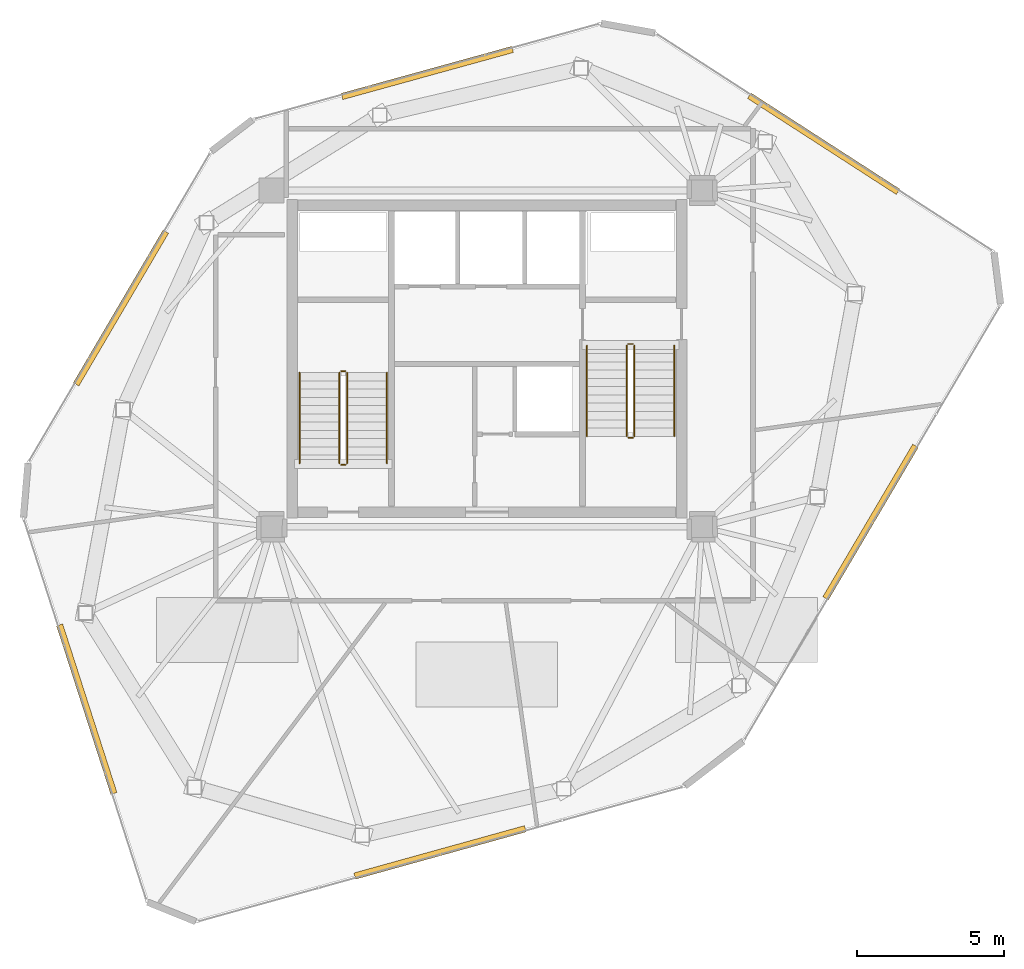
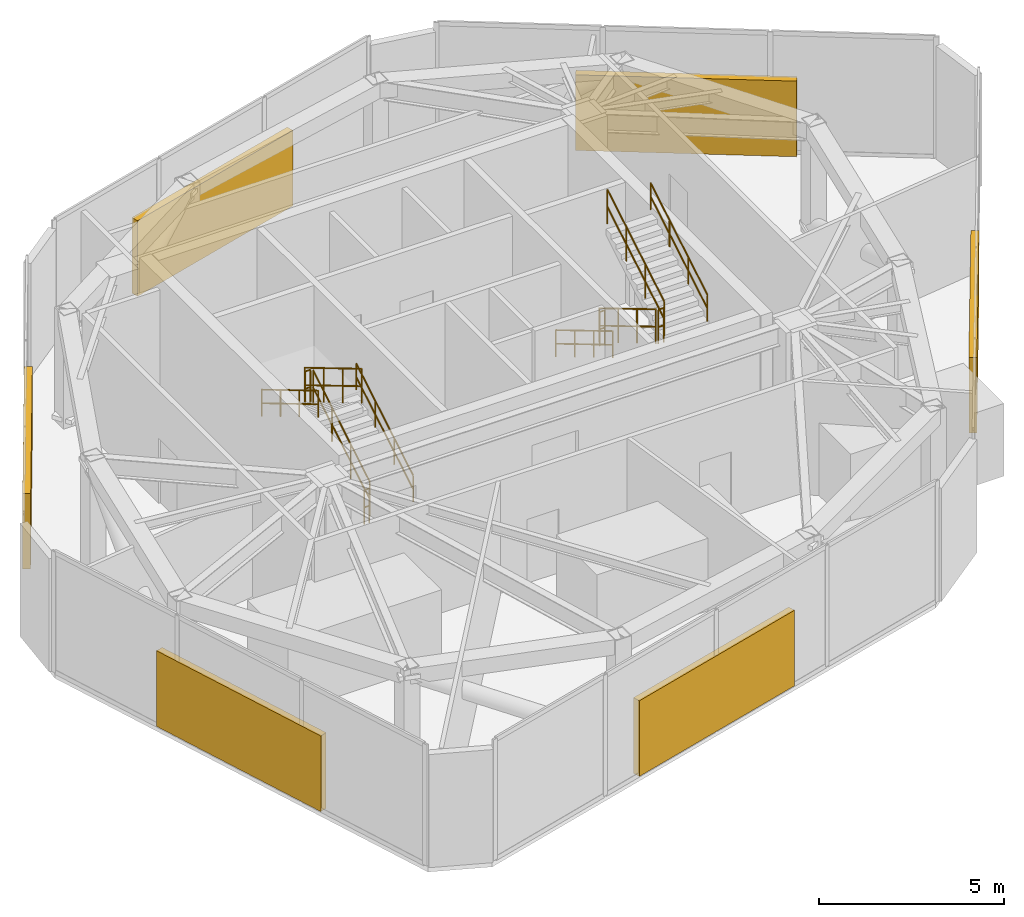
# One storey, part 18 of 19: 12 railings, 6 shading devices.
"""IFC4 building model written with IfcOpenShell, lengths in metres."""

from ifc_helpers import new_model, si_unit, direction, frame, origin, origin_2d, place, context, subcontext, project, spatial, rectangle, circle, extrude, source, transform, mapped, material, type_object, type_shapes, element, save


model = new_model("IFC4")

# Units and contexts
model_context = context("Model", 3, precision=1e-05, world=origin(), true_north=direction((0.0, 1.0)))
body_context = subcontext(model_context, "Body", "Model", "MODEL_VIEW")
ifc_project = project(units=[si_unit("LENGTHUNIT", "METRE"), si_unit("AREAUNIT", "SQUARE_METRE"), si_unit("VOLUMEUNIT", "CUBIC_METRE"), si_unit("PLANEANGLEUNIT", "RADIAN"), si_unit("MASSUNIT", "GRAM", prefix="KILO")], contexts=[model_context])

# Site, building, storey
site_placement = place(None, origin())
site = spatial("IfcSite", under=ifc_project, at=site_placement, CompositionType="ELEMENT")
building_placement = place(site_placement, origin())
building = spatial("IfcBuilding", under=site, at=building_placement, Name="Talar Marvaseh", CompositionType="ELEMENT")
storey_placement = place(building_placement, frame((0.0, 0.0, 296.0)))
storey = spatial("IfcBuildingStorey", under=building, at=storey_placement, Name="L79", CompositionType="ELEMENT", Elevation=296.0)

# Railings
ifc_material_1 = material(Name="Stainless Steel Grade 316", Category="steel")
railing_type_1 = type_object("IfcRailingType", Name="Brushed Stainless Wall Pitch Handrail 900", PredefinedType="HANDRAIL", material=ifc_material_1)
railing_1_placement = place(storey_placement, frame((22.610107421875, 27.64990234375, 0.166748046875)))
element("IfcRailing", 1, at=railing_1_placement, inside=storey, type_object=railing_type_1, Name="L79 ST-1 stair handrail 1", PredefinedType="HANDRAIL", context=body_context, shape_type="SweptSolid", body=[
    extrude(circle(Radius=0.02392578125, at=origin_2d()), frame((0.0, 0.0, 0.8759765625), z_axis=(0.0, 0.859308565015, 0.511457515432), x_axis=(-1.0, 0.0, 0.0)), (0.0, 0.0, 1.0), 3.58447265625),
    extrude(circle(Radius=0.02392578125, at=origin_2d()), frame((0.0, 0.0, 0.42578125), z_axis=(0.0, 0.859308565015, 0.511457515432), x_axis=(-1.0, 0.0, 0.0)), (0.0, 0.0, 1.0), 3.58447265625),
    extrude(circle(Radius=0.02099609375, at=origin_2d()), origin(), (0.0, 0.0, 1.0), 0.851806640625),
    extrude(circle(Radius=0.02099609375, at=origin_2d()), frame((0.0, 1.026611328125, 0.611083984375)), (0.0, 0.0, 1.0), 0.851806640625),
    extrude(circle(Radius=0.02099609375, at=origin_2d()), frame((0.0, 2.053466796875, 1.22216796875)), (0.0, 0.0, 1.0), 0.851806640625),
    extrude(circle(Radius=0.02099609375, at=origin_2d()), frame((0.0, 3.080078125, 1.833251953125)), (0.0, 0.0, 1.0), 0.851806640625),
])
railing_2_placement = place(storey_placement, frame((19.64990234375, 30.72998046875, 2.166748046875)))
element("IfcRailing", 2, at=railing_2_placement, inside=storey, type_object=railing_type_1, Name="L79 ST-1 stair handrail 2", PredefinedType="HANDRAIL", context=body_context, shape_type="SweptSolid", body=[
    extrude(circle(Radius=0.02392578125, at=origin_2d()), frame((0.0, 0.0, 0.8759765625), z_axis=(0.0, -0.859308565015, 0.511457515432), x_axis=(1.0, 0.0, 0.0)), (0.0, 0.0, 1.0), 3.58447265625),
    extrude(circle(Radius=0.02392578125, at=origin_2d()), frame((0.0, 0.0, 0.42578125), z_axis=(0.0, -0.859308565015, 0.511457515432), x_axis=(1.0, 0.0, 0.0)), (0.0, 0.0, 1.0), 3.58447265625),
    extrude(circle(Radius=0.02099609375, at=origin_2d()), origin(), (0.0, 0.0, 1.0), 0.851806640625),
    extrude(circle(Radius=0.02099609375, at=origin_2d()), frame((0.0, -1.026611328125, 0.611083984375)), (0.0, 0.0, 1.0), 0.851806640625),
    extrude(circle(Radius=0.02099609375, at=origin_2d()), frame((0.0, -2.053466796875, 1.22216796875)), (0.0, 0.0, 1.0), 0.851806640625),
    extrude(circle(Radius=0.02099609375, at=origin_2d()), frame((0.0, -3.080078125, 1.833251953125)), (0.0, 0.0, 1.0), 0.851806640625),
])
railing_3_placement = place(storey_placement, frame((29.389892578125, 31.64990234375, 0.166748046875)))
element("IfcRailing", 3, at=railing_3_placement, inside=storey, type_object=railing_type_1, Name="L79 ST-2 stair handrail 1", PredefinedType="HANDRAIL", context=body_context, shape_type="SweptSolid", body=[
    extrude(circle(Radius=0.02392578125, at=origin_2d()), frame((0.0, 0.0, 0.8759765625), z_axis=(0.0, -0.859290745958, 0.51148745235), x_axis=(1.0, 0.0, 0.0)), (0.0, 0.0, 1.0), 3.584228515625),
    extrude(circle(Radius=0.02392578125, at=origin_2d()), frame((0.0, 0.0, 0.42578125), z_axis=(0.0, -0.859290745958, 0.51148745235), x_axis=(1.0, 0.0, 0.0)), (0.0, 0.0, 1.0), 3.584228515625),
    extrude(circle(Radius=0.02099609375, at=origin_2d()), origin(), (0.0, 0.0, 1.0), 0.851806640625),
    extrude(circle(Radius=0.02099609375, at=origin_2d()), frame((0.0, -1.026611328125, 0.611083984375)), (0.0, 0.0, 1.0), 0.851806640625),
    extrude(circle(Radius=0.02099609375, at=origin_2d()), frame((0.0, -2.05322265625, 1.22216796875)), (0.0, 0.0, 1.0), 0.851806640625),
    extrude(circle(Radius=0.02099609375, at=origin_2d()), frame((0.0, -3.079833984375, 1.833251953125)), (0.0, 0.0, 1.0), 0.851806640625),
])
railing_4_placement = place(storey_placement, frame((32.35009765625, 28.570068359375, 2.166748046875)))
element("IfcRailing", 4, at=railing_4_placement, inside=storey, type_object=railing_type_1, Name="L79 ST-2 stair handrail 2", PredefinedType="HANDRAIL", context=body_context, shape_type="SweptSolid", body=[
    extrude(circle(Radius=0.02392578125, at=origin_2d()), frame((0.0, 0.0, 0.8759765625), z_axis=(0.0, 0.859290745958, 0.51148745235), x_axis=(-1.0, 0.0, 0.0)), (0.0, 0.0, 1.0), 3.584228515625),
    extrude(circle(Radius=0.02392578125, at=origin_2d()), frame((0.0, 0.0, 0.42578125), z_axis=(0.0, 0.859290745958, 0.51148745235), x_axis=(-1.0, 0.0, 0.0)), (0.0, 0.0, 1.0), 3.584228515625),
    extrude(circle(Radius=0.02099609375, at=origin_2d()), origin(), (0.0, 0.0, 1.0), 0.851806640625),
    extrude(circle(Radius=0.02099609375, at=origin_2d()), frame((0.0, 1.026611328125, 0.611083984375)), (0.0, 0.0, 1.0), 0.851806640625),
    extrude(circle(Radius=0.02099609375, at=origin_2d()), frame((0.0, 2.05322265625, 1.22216796875)), (0.0, 0.0, 1.0), 0.851806640625),
    extrude(circle(Radius=0.02099609375, at=origin_2d()), frame((0.0, 3.079833984375, 1.833251953125)), (0.0, 0.0, 1.0), 0.851806640625),
])
railing_type_2 = type_object("IfcRailingType", Name="Painted Steel Core Stair Well Guardrail 1150", PredefinedType="GUARDRAIL", material=ifc_material_1)
railing_5_placement = place(storey_placement, frame((21.260009765625, 27.64990234375, 0.166748046875)))
element("IfcRailing", 5, at=railing_5_placement, inside=storey, type_object=railing_type_2, Name="L79 ST-1 stair guard 1", PredefinedType="GUARDRAIL", context=body_context, shape_type="SweptSolid", body=[
    extrude(circle(Radius=0.02392578125, at=origin_2d()), frame((0.0, 0.0, 1.1259765625), z_axis=(0.0, 0.859308565015, 0.511457515432), x_axis=(-1.0, 0.0, 0.0)), (0.0, 0.0, 1.0), 3.58447265625),
    extrude(circle(Radius=0.02392578125, at=origin_2d()), frame((0.0, 0.0, 0.55078125), z_axis=(0.0, 0.859308565015, 0.511457515432), x_axis=(-1.0, 0.0, 0.0)), (0.0, 0.0, 1.0), 3.58447265625),
    extrude(circle(Radius=0.02099609375, at=origin_2d()), origin(), (0.0, 0.0, 1.0), 1.101806640625),
    extrude(circle(Radius=0.02099609375, at=origin_2d()), frame((0.0, 1.026611328125, 0.611083984375)), (0.0, 0.0, 1.0), 1.101806640625),
    extrude(circle(Radius=0.02099609375, at=origin_2d()), frame((0.0, 2.053466796875, 1.22216796875)), (0.0, 0.0, 1.0), 1.101806640625),
    extrude(circle(Radius=0.02099609375, at=origin_2d()), frame((0.0, 3.080078125, 1.833251953125)), (0.0, 0.0, 1.0), 1.101806640625),
])
railing_6_placement = place(storey_placement, frame((21.2099609375, 30.780029296875, 2.0)))
element("IfcRailing", 6, at=railing_6_placement, inside=storey, type_object=railing_type_2, Name="L79 ST-1 stair guard 2", PredefinedType="GUARDRAIL", context=body_context, shape_type="SweptSolid", body=[
    extrude(circle(Radius=0.02392578125, at=origin_2d()), frame((0.0, 0.0, 1.1259765625), z_axis=(-1.0, 0.0, 0.0), x_axis=(0.0, -1.0, 0.0)), (0.0, 0.0, 1.0), 0.159912109375),
    extrude(circle(Radius=0.02392578125, at=origin_2d()), frame((0.0, 0.0, 0.55078125), z_axis=(-1.0, 0.0, 0.0), x_axis=(0.0, -1.0, 0.0)), (0.0, 0.0, 1.0), 0.159912109375),
    extrude(circle(Radius=0.02099609375, at=origin_2d()), origin(), (0.0, 0.0, 1.0), 1.101806640625),
    extrude(circle(Radius=0.02099609375, at=origin_2d()), frame((-0.159912109375, 0.0, 0.0)), (0.0, 0.0, 1.0), 1.101806640625),
])
railing_7_placement = place(storey_placement, frame((21.0, 30.72998046875, 2.166748046875)))
element("IfcRailing", 7, at=railing_7_placement, inside=storey, type_object=railing_type_2, Name="L79 ST-1 stair guard 3", PredefinedType="GUARDRAIL", context=body_context, shape_type="SweptSolid", body=[
    extrude(circle(Radius=0.02392578125, at=origin_2d()), frame((0.0, 0.0, 1.1259765625), z_axis=(0.0, -0.859308565015, 0.511457515432), x_axis=(1.0, 0.0, 0.0)), (0.0, 0.0, 1.0), 3.58447265625),
    extrude(circle(Radius=0.02392578125, at=origin_2d()), frame((0.0, 0.0, 0.55078125), z_axis=(0.0, -0.859308565015, 0.511457515432), x_axis=(1.0, 0.0, 0.0)), (0.0, 0.0, 1.0), 3.58447265625),
    extrude(circle(Radius=0.02099609375, at=origin_2d()), origin(), (0.0, 0.0, 1.0), 1.101806640625),
    extrude(circle(Radius=0.02099609375, at=origin_2d()), frame((0.0, -1.026611328125, 0.611083984375)), (0.0, 0.0, 1.0), 1.101806640625),
    extrude(circle(Radius=0.02099609375, at=origin_2d()), frame((0.0, -2.053466796875, 1.22216796875)), (0.0, 0.0, 1.0), 1.101806640625),
    extrude(circle(Radius=0.02099609375, at=origin_2d()), frame((0.0, -3.080078125, 1.833251953125)), (0.0, 0.0, 1.0), 1.101806640625),
])
railing_8_placement = place(storey_placement, frame((21.2099609375, 27.60009765625, 0.0)))
element("IfcRailing", 8, at=railing_8_placement, inside=storey, type_object=railing_type_2, Name="L79 ST-1 stair guard 4", PredefinedType="GUARDRAIL", context=body_context, shape_type="SweptSolid", body=[
    extrude(circle(Radius=0.02392578125, at=origin_2d()), frame((0.0, 0.0, 1.1259765625), z_axis=(-1.0, 0.0, 0.0), x_axis=(0.0, -1.0, 0.0)), (0.0, 0.0, 1.0), 0.159912109375),
    extrude(circle(Radius=0.02392578125, at=origin_2d()), frame((0.0, 0.0, 0.55078125), z_axis=(-1.0, 0.0, 0.0), x_axis=(0.0, -1.0, 0.0)), (0.0, 0.0, 1.0), 0.159912109375),
    extrude(circle(Radius=0.02099609375, at=origin_2d()), origin(), (0.0, 0.0, 1.0), 1.101806640625),
    extrude(circle(Radius=0.02099609375, at=origin_2d()), frame((-0.159912109375, 0.0, 0.0)), (0.0, 0.0, 1.0), 1.101806640625),
])
railing_9_placement = place(storey_placement, frame((30.739990234375, 31.64990234375, 0.166748046875)))
element("IfcRailing", 9, at=railing_9_placement, inside=storey, type_object=railing_type_2, Name="L79 ST-2 stair guard 1", PredefinedType="GUARDRAIL", context=body_context, shape_type="SweptSolid", body=[
    extrude(circle(Radius=0.02392578125, at=origin_2d()), frame((0.0, 0.0, 1.1259765625), z_axis=(0.0, -0.859290745958, 0.51148745235), x_axis=(1.0, 0.0, 0.0)), (0.0, 0.0, 1.0), 3.584228515625),
    extrude(circle(Radius=0.02392578125, at=origin_2d()), frame((0.0, 0.0, 0.55078125), z_axis=(0.0, -0.859290745958, 0.51148745235), x_axis=(1.0, 0.0, 0.0)), (0.0, 0.0, 1.0), 3.584228515625),
    extrude(circle(Radius=0.02099609375, at=origin_2d()), origin(), (0.0, 0.0, 1.0), 1.101806640625),
    extrude(circle(Radius=0.02099609375, at=origin_2d()), frame((0.0, -1.026611328125, 0.611083984375)), (0.0, 0.0, 1.0), 1.101806640625),
    extrude(circle(Radius=0.02099609375, at=origin_2d()), frame((0.0, -2.05322265625, 1.22216796875)), (0.0, 0.0, 1.0), 1.101806640625),
    extrude(circle(Radius=0.02099609375, at=origin_2d()), frame((0.0, -3.079833984375, 1.833251953125)), (0.0, 0.0, 1.0), 1.101806640625),
])
railing_10_placement = place(storey_placement, frame((30.7900390625, 28.52001953125, 2.0)))
element("IfcRailing", 10, at=railing_10_placement, inside=storey, type_object=railing_type_2, Name="L79 ST-2 stair guard 2", PredefinedType="GUARDRAIL", context=body_context, shape_type="SweptSolid", body=[
    extrude(circle(Radius=0.02392578125, at=origin_2d()), frame((0.0, 0.0, 1.1259765625), z_axis=(1.0, 0.0, 0.0), x_axis=(0.0, 1.0, 0.0)), (0.0, 0.0, 1.0), 0.159912109375),
    extrude(circle(Radius=0.02392578125, at=origin_2d()), frame((0.0, 0.0, 0.55078125), z_axis=(1.0, 0.0, 0.0), x_axis=(0.0, 1.0, 0.0)), (0.0, 0.0, 1.0), 0.159912109375),
    extrude(circle(Radius=0.02099609375, at=origin_2d()), origin(), (0.0, 0.0, 1.0), 1.101806640625),
    extrude(circle(Radius=0.02099609375, at=origin_2d()), frame((0.159912109375, 0.0, 0.0)), (0.0, 0.0, 1.0), 1.101806640625),
])
railing_11_placement = place(storey_placement, frame((31.0, 28.570068359375, 2.166748046875)))
element("IfcRailing", 11, at=railing_11_placement, inside=storey, type_object=railing_type_2, Name="L79 ST-2 stair guard 3", PredefinedType="GUARDRAIL", context=body_context, shape_type="SweptSolid", body=[
    extrude(circle(Radius=0.02392578125, at=origin_2d()), frame((0.0, 0.0, 1.1259765625), z_axis=(0.0, 0.859290745958, 0.51148745235), x_axis=(-1.0, 0.0, 0.0)), (0.0, 0.0, 1.0), 3.584228515625),
    extrude(circle(Radius=0.02392578125, at=origin_2d()), frame((0.0, 0.0, 0.55078125), z_axis=(0.0, 0.859290745958, 0.51148745235), x_axis=(-1.0, 0.0, 0.0)), (0.0, 0.0, 1.0), 3.584228515625),
    extrude(circle(Radius=0.02099609375, at=origin_2d()), origin(), (0.0, 0.0, 1.0), 1.101806640625),
    extrude(circle(Radius=0.02099609375, at=origin_2d()), frame((0.0, 1.026611328125, 0.611083984375)), (0.0, 0.0, 1.0), 1.101806640625),
    extrude(circle(Radius=0.02099609375, at=origin_2d()), frame((0.0, 2.05322265625, 1.22216796875)), (0.0, 0.0, 1.0), 1.101806640625),
    extrude(circle(Radius=0.02099609375, at=origin_2d()), frame((0.0, 3.079833984375, 1.833251953125)), (0.0, 0.0, 1.0), 1.101806640625),
])
railing_12_placement = place(storey_placement, frame((30.7900390625, 31.699951171875, 0.0)))
element("IfcRailing", 12, at=railing_12_placement, inside=storey, type_object=railing_type_2, Name="L79 ST-2 stair guard 4", PredefinedType="GUARDRAIL", context=body_context, shape_type="SweptSolid", body=[
    extrude(circle(Radius=0.02392578125, at=origin_2d()), frame((0.0, 0.0, 1.1259765625), z_axis=(1.0, 0.0, 0.0), x_axis=(0.0, 1.0, 0.0)), (0.0, 0.0, 1.0), 0.159912109375),
    extrude(circle(Radius=0.02392578125, at=origin_2d()), frame((0.0, 0.0, 0.55078125), z_axis=(1.0, 0.0, 0.0), x_axis=(0.0, 1.0, 0.0)), (0.0, 0.0, 1.0), 0.159912109375),
    extrude(circle(Radius=0.02099609375, at=origin_2d()), origin(), (0.0, 0.0, 1.0), 1.101806640625),
    extrude(circle(Radius=0.02099609375, at=origin_2d()), frame((0.159912109375, 0.0, 0.0)), (0.0, 0.0, 1.0), 1.101806640625),
])

# Shading devices
ifc_material_2 = material(Name="Anodised Champagne Bronze Aluminium", Category="aluminium")
shading_device_type = type_object("IfcShadingDeviceType", Name="Acoustic Weatherproof Plant Louvre Bank", PredefinedType="USERDEFINED", material=ifc_material_2)
shared_shape = source(origin(), body_context, "Body", "SweptSolid", [
    extrude(rectangle(XDim=6.0, YDim=0.219970703125, at=origin_2d()), origin(), (0.0, 0.0, 1.0), 2.5),
])
type_shapes(shading_device_type, [shared_shape])
for number, where, z_axis, x_axis, name in (
    (13, (12.4306640625, 19.318115234375, 0.0), (0.0, 0.0, 1.0), (-0.306526078098, 0.951862260753, 0.0), "L79 Acoustic Plant Louvre Screen"),
    (14, (13.590576171875, 32.919189453125, 0.0), (0.0, 0.0, 1.0), (0.506485305836, 0.862248592329, 0.0), "L79 Acoustic Plant Louvre Screen"),
    (15, (23.977294921875, 40.889404296875, 0.0), (0.0, 0.0, 1.0), (0.963956227226, 0.266060880235, 0.0), "L79 Acoustic Plant Louvre Screen"),
    (16, (37.415283203125, 38.4892578125, 0.0), (0.0, 0.0, 1.0), (0.840093553899, -0.542441536663, 0.0), "L79 Acoustic Plant Louvre Screen"),
    (17, (39.007080078125, 25.661376953125, 0.0), (0.0, 0.0, 1.0), (-0.507688737887, -0.861540565163, 0.0), "L79 Acoustic Plant Louvre Screen"),
    (18, (24.409423828125, 14.460205078125, 0.0), (0.0, 0.0, 1.0), (-0.963583796636, -0.267406557249, 0.0), "L79 Acoustic Plant Louvre Screen"),
):
    element("IfcShadingDevice", number, at=place(storey_placement, frame(where, z_axis=z_axis, x_axis=x_axis)), inside=storey, type_object=shading_device_type, Name=name, ObjectType="LOUVRE", PredefinedType="USERDEFINED", context=body_context, shape_type="MappedRepresentation", body=[
        mapped(shared_shape, transform((0.0, 0.0, 0.0), x_axis=(1.0, 0.0, 0.0), y_axis=(0.0, 1.0, 0.0), z_axis=(0.0, 0.0, 1.0), scale=1.0)),
    ])

save(model, "model.ifc")
